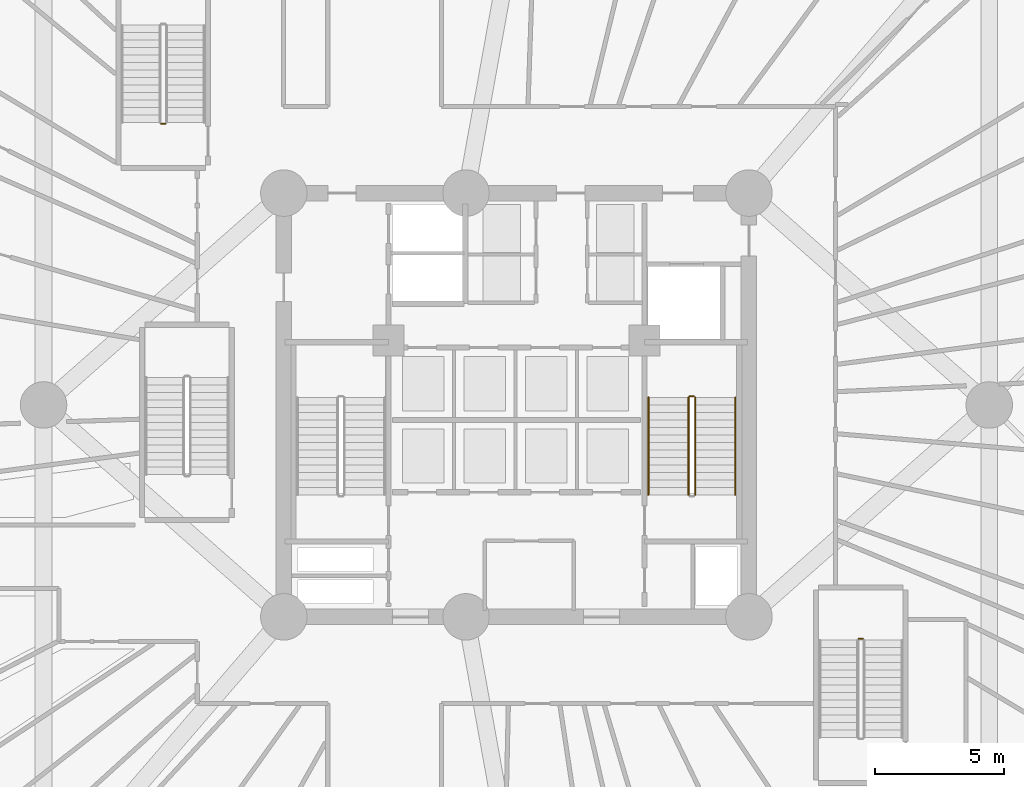
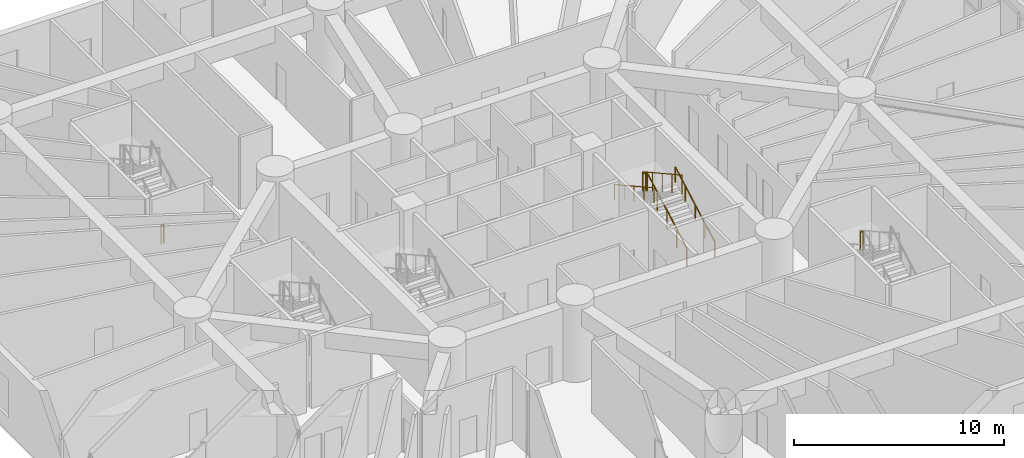
# One storey, part 25 of 30: 7 railings.
"""IFC4 building model written with IfcOpenShell, lengths in metres."""

from ifc_helpers import new_model, si_unit, direction, frame, origin, origin_2d, place, context, subcontext, project, spatial, circle, extrude, material, layer, layer_set, type_object, element, save


model = new_model("IFC4")

# Units and contexts
model_context = context("Model", 3, precision=1e-05, world=origin(), true_north=direction((0.0, 1.0)))
body_context = subcontext(model_context, "Body", "Model", "MODEL_VIEW")
ifc_project = project(units=[si_unit("LENGTHUNIT", "METRE"), si_unit("AREAUNIT", "SQUARE_METRE"), si_unit("VOLUMEUNIT", "CUBIC_METRE"), si_unit("PLANEANGLEUNIT", "RADIAN"), si_unit("MASSUNIT", "GRAM", prefix="KILO")], contexts=[model_context])

# Site, building, storey
site_placement = place(None, origin())
site = spatial("IfcSite", under=ifc_project, at=site_placement, CompositionType="ELEMENT")
building_placement = place(site_placement, origin())
building = spatial("IfcBuilding", under=site, at=building_placement, Name="Karkom Vertical University and Central Library", CompositionType="ELEMENT")
storey_placement = place(building_placement, origin())
storey = spatial("IfcBuildingStorey", under=building, at=storey_placement, Name="L00", CompositionType="ELEMENT", Elevation=0.0)

# Railings
ifc_material_1 = material(Name="Painted galvanised steel balustrade", Category="steel")
ifc_layer_1 = layer(ifc_material_1, 0.06005859375)
ifc_layer_set_1 = layer_set([ifc_layer_1], Name="Painted galvanised steel balustrade")
railing_type_1 = type_object("IfcRailingType", Name="INT-RL-GUARD1100", PredefinedType="GUARDRAIL", material=ifc_layer_set_1)
railing_1_placement = place(storey_placement, frame((35.419921875, 23.02001953125, 0.16064453125)))
element("IfcRailing", 1, at=railing_1_placement, inside=storey, type_object=railing_type_1, Name="Level 00 ST-2 stair guard 1", PredefinedType="GUARDRAIL", context=body_context, shape_type="SweptSolid", body=[
    extrude(circle(Radius=0.02392578125, at=origin_2d()), frame((0.0, 0.0, 1.076171875), z_axis=(0.0, 0.874659101714, 0.484738543742), x_axis=(-1.0, 0.0, 0.0)), (0.0, 0.0, 1.0), 4.310302734375),
    extrude(circle(Radius=0.02099609375, at=origin_2d()), origin(), (0.0, 0.0, 1.0), 1.052001953125),
    extrude(circle(Radius=0.02099609375, at=origin_2d()), frame((0.0, 0.9423828125, 0.5224609375)), (0.0, 0.0, 1.0), 1.052001953125),
    extrude(circle(Radius=0.02099609375, at=origin_2d()), frame((0.0, 1.885009765625, 1.044677734375)), (0.0, 0.0, 1.0), 1.052001953125),
    extrude(circle(Radius=0.02099609375, at=origin_2d()), frame((0.0, 2.82763671875, 1.56689453125)), (0.0, 0.0, 1.0), 1.052001953125),
    extrude(circle(Radius=0.02099609375, at=origin_2d()), frame((0.0, 3.77001953125, 2.08935546875)), (0.0, 0.0, 1.0), 1.052001953125),
])
railing_2_placement = place(storey_placement, frame((35.3701171875, 26.840087890625, 2.25)))
element("IfcRailing", 2, at=railing_2_placement, inside=storey, type_object=railing_type_1, Name="Level 00 ST-2 stair guard 2", PredefinedType="GUARDRAIL", context=body_context, shape_type="SweptSolid", body=[
    extrude(circle(Radius=0.02392578125, at=origin_2d()), frame((0.0, 0.0, 1.076171875), z_axis=(-1.0, 0.0, 0.0), x_axis=(0.0, -1.0, 0.0)), (0.0, 0.0, 1.0), 0.16015625),
    extrude(circle(Radius=0.02099609375, at=origin_2d()), origin(), (0.0, 0.0, 1.0), 1.052001953125),
    extrude(circle(Radius=0.02099609375, at=origin_2d()), frame((-0.16015625, 0.0, 0.0)), (0.0, 0.0, 1.0), 1.052001953125),
])
railing_3_placement = place(storey_placement, frame((35.159912109375, 26.7900390625, 2.41064453125)))
element("IfcRailing", 3, at=railing_3_placement, inside=storey, type_object=railing_type_1, Name="Level 00 ST-2 stair guard 3", PredefinedType="GUARDRAIL", context=body_context, shape_type="SweptSolid", body=[
    extrude(circle(Radius=0.02392578125, at=origin_2d()), frame((0.0, 0.0, 1.076171875), z_axis=(0.0, -0.874659101714, 0.484738543742), x_axis=(1.0, 0.0, 0.0)), (0.0, 0.0, 1.0), 4.310302734375),
    extrude(circle(Radius=0.02099609375, at=origin_2d()), origin(), (0.0, 0.0, 1.0), 1.052001953125),
    extrude(circle(Radius=0.02099609375, at=origin_2d()), frame((0.0, -0.9423828125, 0.5224609375)), (0.0, 0.0, 1.0), 1.052001953125),
    extrude(circle(Radius=0.02099609375, at=origin_2d()), frame((0.0, -1.885009765625, 1.044677734375)), (0.0, 0.0, 1.0), 1.052001953125),
    extrude(circle(Radius=0.02099609375, at=origin_2d()), frame((0.0, -2.82763671875, 1.56689453125)), (0.0, 0.0, 1.0), 1.052001953125),
    extrude(circle(Radius=0.02099609375, at=origin_2d()), frame((0.0, -3.77001953125, 2.08935546875)), (0.0, 0.0, 1.0), 1.052001953125),
])
for number, where, name in (
    (4, (41.909912109375, 17.449951171875, 2.25), "Level 00 POD-ST1 stair guard 2"),
    (5, (14.909912109375, 37.3798828125, 0.0), "Level 00 POD-ST2 stair guard 4"),
):
    element("IfcRailing", number, at=place(storey_placement, frame(where)), inside=storey, type_object=railing_type_1, Name=name, PredefinedType="GUARDRAIL", context=body_context, shape_type="SweptSolid", body=[
        extrude(circle(Radius=0.02392578125, at=origin_2d()), frame((0.0, 0.0, 1.076171875), z_axis=(-1.0, 0.0, 0.0), x_axis=(0.0, -1.0, 0.0)), (0.0, 0.0, 1.0), 0.159912109375),
        extrude(circle(Radius=0.02099609375, at=origin_2d()), origin(), (0.0, 0.0, 1.0), 1.052001953125),
        extrude(circle(Radius=0.02099609375, at=origin_2d()), frame((-0.159912109375, 0.0, 0.0)), (0.0, 0.0, 1.0), 1.052001953125),
    ])
ifc_material_2 = material(Name="Brushed stainless-steel tubular handrail", Category="steel")
ifc_layer_2 = layer(ifc_material_2, 0.048095703125)
ifc_layer_set_2 = layer_set([ifc_layer_2], Name="Brushed stainless-steel tubular handrail")
railing_type_2 = type_object("IfcRailingType", Name="INT-RL-HAND920", PredefinedType="HANDRAIL", material=ifc_layer_set_2)
railing_4_placement = place(storey_placement, frame((36.969970703125, 23.02001953125, 0.16064453125)))
element("IfcRailing", 6, at=railing_4_placement, inside=storey, type_object=railing_type_2, Name="Level 00 ST-2 stair handrail 1", PredefinedType="HANDRAIL", context=body_context, shape_type="SweptSolid", body=[
    extrude(circle(Radius=0.02392578125, at=origin_2d()), frame((0.0, 0.0, 0.8759765625), z_axis=(0.0, 0.874659101714, 0.484738543742), x_axis=(-1.0, 0.0, 0.0)), (0.0, 0.0, 1.0), 4.310302734375),
    extrude(circle(Radius=0.02099609375, at=origin_2d()), origin(), (0.0, 0.0, 1.0), 0.851806640625),
    extrude(circle(Radius=0.02099609375, at=origin_2d()), frame((0.0, 0.9423828125, 0.5224609375)), (0.0, 0.0, 1.0), 0.851806640625),
    extrude(circle(Radius=0.02099609375, at=origin_2d()), frame((0.0, 1.885009765625, 1.044677734375)), (0.0, 0.0, 1.0), 0.851806640625),
    extrude(circle(Radius=0.02099609375, at=origin_2d()), frame((0.0, 2.82763671875, 1.56689453125)), (0.0, 0.0, 1.0), 0.851806640625),
    extrude(circle(Radius=0.02099609375, at=origin_2d()), frame((0.0, 3.77001953125, 2.08935546875)), (0.0, 0.0, 1.0), 0.851806640625),
])
railing_5_placement = place(storey_placement, frame((33.610107421875, 26.7900390625, 2.41064453125)))
element("IfcRailing", 7, at=railing_5_placement, inside=storey, type_object=railing_type_2, Name="Level 00 ST-2 stair handrail 2", PredefinedType="HANDRAIL", context=body_context, shape_type="SweptSolid", body=[
    extrude(circle(Radius=0.02392578125, at=origin_2d()), frame((0.0, 0.0, 0.8759765625), z_axis=(0.0, -0.874659101714, 0.484738543742), x_axis=(1.0, 0.0, 0.0)), (0.0, 0.0, 1.0), 4.310302734375),
    extrude(circle(Radius=0.02099609375, at=origin_2d()), origin(), (0.0, 0.0, 1.0), 0.851806640625),
    extrude(circle(Radius=0.02099609375, at=origin_2d()), frame((0.0, -0.9423828125, 0.5224609375)), (0.0, 0.0, 1.0), 0.851806640625),
    extrude(circle(Radius=0.02099609375, at=origin_2d()), frame((0.0, -1.885009765625, 1.044677734375)), (0.0, 0.0, 1.0), 0.851806640625),
    extrude(circle(Radius=0.02099609375, at=origin_2d()), frame((0.0, -2.82763671875, 1.56689453125)), (0.0, 0.0, 1.0), 0.851806640625),
    extrude(circle(Radius=0.02099609375, at=origin_2d()), frame((0.0, -3.77001953125, 2.08935546875)), (0.0, 0.0, 1.0), 0.851806640625),
])

save(model, "model.ifc")
